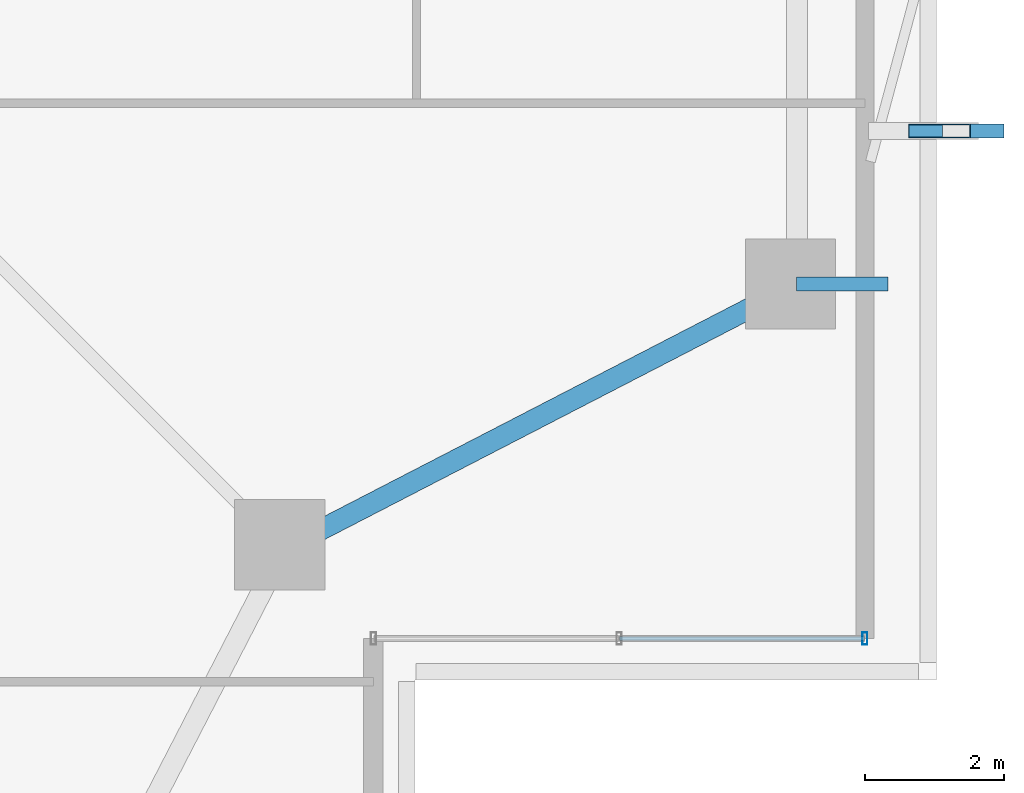
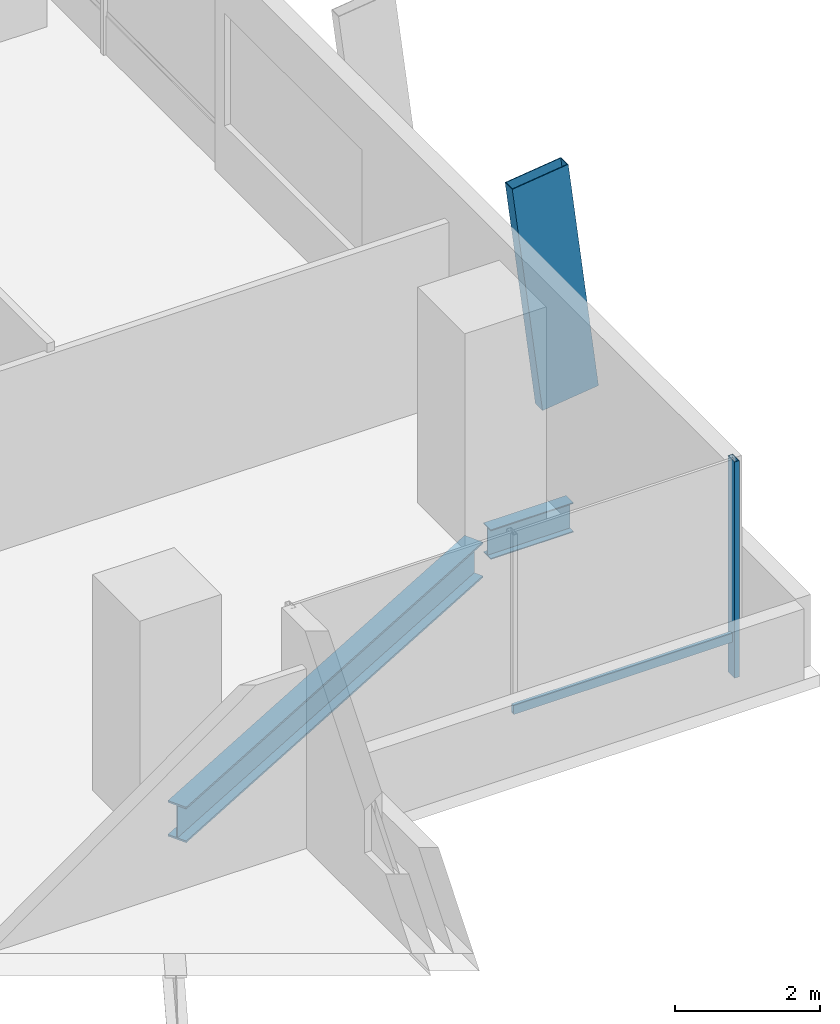
# One storey, part 14 of 34: 3 members, 2 beams, 1 element without a shape of its own.
"""IFC4 building model written with IfcOpenShell, lengths in metres."""

from ifc_helpers import new_model, si_unit, direction, frame, origin, origin_2d, place, context, subcontext, project, spatial, hollow_rectangle, i_section, extrude, material, layer, layer_set, material_profile, profile_set, type_object, element, aggregate, save


model = new_model("IFC4")

# Units and contexts
model_context = context("Model", 3, precision=1e-05, world=origin(), true_north=direction((0.0, 1.0)))
body_context = subcontext(model_context, "Body", "Model", "MODEL_VIEW")
ifc_project = project(units=[si_unit("LENGTHUNIT", "METRE"), si_unit("AREAUNIT", "SQUARE_METRE"), si_unit("VOLUMEUNIT", "CUBIC_METRE"), si_unit("PLANEANGLEUNIT", "RADIAN"), si_unit("MASSUNIT", "GRAM", prefix="KILO")], contexts=[model_context])

# Site, building, storey
site_placement = place(None, origin())
site = spatial("IfcSite", under=ifc_project, at=site_placement, CompositionType="ELEMENT")
building_placement = place(site_placement, origin())
building = spatial("IfcBuilding", under=site, at=building_placement, Name="Belovzor Exchange Tower", CompositionType="ELEMENT")
storey_placement = place(building_placement, frame((0.0, 0.0, 113.39990234375)))
storey = spatial("IfcBuildingStorey", under=building, at=storey_placement, Name="L27", CompositionType="ELEMENT", Elevation=113.39990234375)

# Beam
ifc_material_1 = material(Name="Steel S355", Category="steel")
ifc_material_profile_1 = material_profile(ifc_material_1, i_section(OverallWidth=0.199951171875, OverallDepth=0.5, WebThickness=0.01025390625, FlangeThickness=0.01611328125, at=origin_2d()))
ifc_profile_set_1 = profile_set([ifc_material_profile_1], Name="Steel S355")
beam_type_1 = type_object("IfcBeamType", Name="Planted Balcony Cantilever Beam IPE 500", PredefinedType="BEAM", material=ifc_profile_set_1)
beam_1_placement = place(storey_placement, frame((53.782958984375, 15.0, -0.5), z_axis=(1.0, 0.0, 0.0), x_axis=(0.0, 1.0, 0.0)))
element("IfcBeam", 1, at=beam_1_placement, inside=storey, type_object=beam_type_1, Name="BC-500 Planted Balcony Cantilever Beam IPE 500", PredefinedType="BEAM", context=body_context, shape_type="SweptSolid", body=[
    extrude(i_section(OverallWidth=0.199951171875, OverallDepth=0.5, WebThickness=0.01025390625, FlangeThickness=0.01611328125, at=origin_2d()), origin(), (0.0, 0.0, 1.0), 1.317138671875),
])

# Member
ifc_material_2 = material(Name="Extruded Architectural Terracotta on Steel S355 Carrier", Category="masonry")
ifc_material_profile_2 = material_profile(ifc_material_2, hollow_rectangle(XDim=0.199951171875, YDim=0.89990234375, WallThickness=0.011962890625, at=origin_2d()))
ifc_profile_set_2 = profile_set([ifc_material_profile_2], Name="Extruded Architectural Terracotta on Steel S355 Carrier")
member_type_1 = type_object("IfcMemberType", Name="Sweeping Terracotta Baguette Fin Assembly 1250", PredefinedType="USERDEFINED", material=ifc_profile_set_2)
member_1_placement = place(storey_placement, frame((56.324951171875, 17.199951171875, -0.25), z_axis=(-0.122880110894, 0.0, 0.992421522513), x_axis=(0.0, -1.0, 0.0)))
element("IfcMember", 2, at=member_1_placement, inside=storey, type_object=member_type_1, Name="FIN-TC125 Terracotta Facade Fin L27 E1", ObjectType="FIN", PredefinedType="USERDEFINED", context=body_context, shape_type="SweptSolid", body=[
    extrude(hollow_rectangle(XDim=0.199951171875, YDim=0.89990234375, WallThickness=0.011962890625, at=origin_2d()), origin(), (0.0, 0.0, 1.0), 3.929931640625),
])

# Curtain wall, members
ifc_material_3 = material(Name="Anodised Aluminium Framing", Category="aluminium")
ifc_layer = layer(ifc_material_3, 0.195068359375)
ifc_layer_set = layer_set([ifc_layer], Name="Anodised Aluminium Framing")
curtain_wall_type = type_object("IfcCurtainWallType", Name="Notched Re-Entrant Corner Unitised Curtain Wall", PredefinedType="NOTDEFINED", material=ifc_layer_set)
curtain_wall_placement = place(storey_placement, origin())
curtain_wall = element("IfcCurtainWall", 3, at=curtain_wall_placement, inside=storey, type_object=curtain_wall_type, Name="CW5 Notched Re-Entrant Corner Unitised Curtain Wall L27", PredefinedType="NOTDEFINED")
ifc_material_4 = material(Name="Steel S355", Category="steel")
ifc_material_profile_3 = material_profile(ifc_material_4, hollow_rectangle(XDim=0.074951171875, YDim=0.179931640625, WallThickness=0.0048828125, at=origin_2d()))
ifc_profile_set_3 = profile_set([ifc_material_profile_3], Name="Steel S355")
member_type_2 = type_object("IfcMemberType", Name="Thermally Broken Curtain Wall Mullion 180x75", PredefinedType="MULLION", material=ifc_profile_set_3)
member_2_placement = place(storey_placement, frame((54.77001953125, 9.89990234375, 0.0), z_axis=(0.0, 0.0, 1.0), x_axis=(-1.0, 0.0, 0.0)))
member_2 = element("IfcMember", 4, at=member_2_placement, type_object=member_type_2, Name="CW-M180 Curtain Wall Mullion 1", PredefinedType="MULLION", context=body_context, shape_type="SweptSolid", body=[
    extrude(hollow_rectangle(XDim=0.074951171875, YDim=0.179931640625, WallThickness=0.0048828125, at=origin_2d()), origin(), (0.0, 0.0, 1.0), 3.650146484375),
])
ifc_material_5 = material(Name="Steel S355", Category="steel")
ifc_material_profile_4 = material_profile(ifc_material_5, hollow_rectangle(XDim=0.06005859375, YDim=0.14990234375, WallThickness=0.00390625, at=origin_2d()))
ifc_profile_set_4 = profile_set([ifc_material_profile_4], Name="Steel S355")
member_type_3 = type_object("IfcMemberType", Name="Thermally Broken Curtain Wall Transom 150x60", PredefinedType="USERDEFINED", material=ifc_profile_set_4)
member_3_placement = place(storey_placement, frame((54.761962890625, 9.89990234375, 0.650146484375), z_axis=(-1.0, 0.0, 0.0), x_axis=(0.0, -1.0, 0.0)))
member_3 = element("IfcMember", 5, at=member_3_placement, type_object=member_type_3, Name="CW-T150 Curtain Wall Transom 1", ObjectType="TRANSOM", PredefinedType="USERDEFINED", context=body_context, shape_type="SweptSolid", body=[
    extrude(hollow_rectangle(XDim=0.06005859375, YDim=0.14990234375, WallThickness=0.00390625, at=origin_2d()), origin(), (0.0, 0.0, 1.0), 3.51904296875),
])
aggregate(curtain_wall, [member_2, member_3])

# Beam
ifc_material_6 = material(Name="Steel S355", Category="steel")
ifc_material_profile_5 = material_profile(ifc_material_6, i_section(OverallWidth=0.300048828125, OverallDepth=0.60009765625, WebThickness=0.015380859375, FlangeThickness=0.030029296875, at=origin_2d()))
ifc_profile_set_5 = profile_set([ifc_material_profile_5], Name="Steel S355")
beam_type_2 = type_object("IfcBeamType", Name="Zone 2 Primary Perimeter Girder HEB 600", PredefinedType="BEAM", material=ifc_profile_set_5)
beam_2_placement = place(storey_placement, frame((46.72900390625, 11.35302734375, -0.5498046875), z_axis=(0.888536923907, 0.45880511642, 0.0), x_axis=(-0.45880511642, 0.888536923907, 0.0)))
element("IfcBeam", 6, at=beam_2_placement, inside=storey, type_object=beam_type_2, Name="FG-Z2 Zone 2 Primary Perimeter Girder HEB 600", PredefinedType="BEAM", context=body_context, shape_type="SweptSolid", body=[
    extrude(i_section(OverallWidth=0.300048828125, OverallDepth=0.60009765625, WebThickness=0.015380859375, FlangeThickness=0.030029296875, at=origin_2d()), origin(), (0.0, 0.0, 1.0), 7.59130859375),
])

save(model, "model.ifc")
